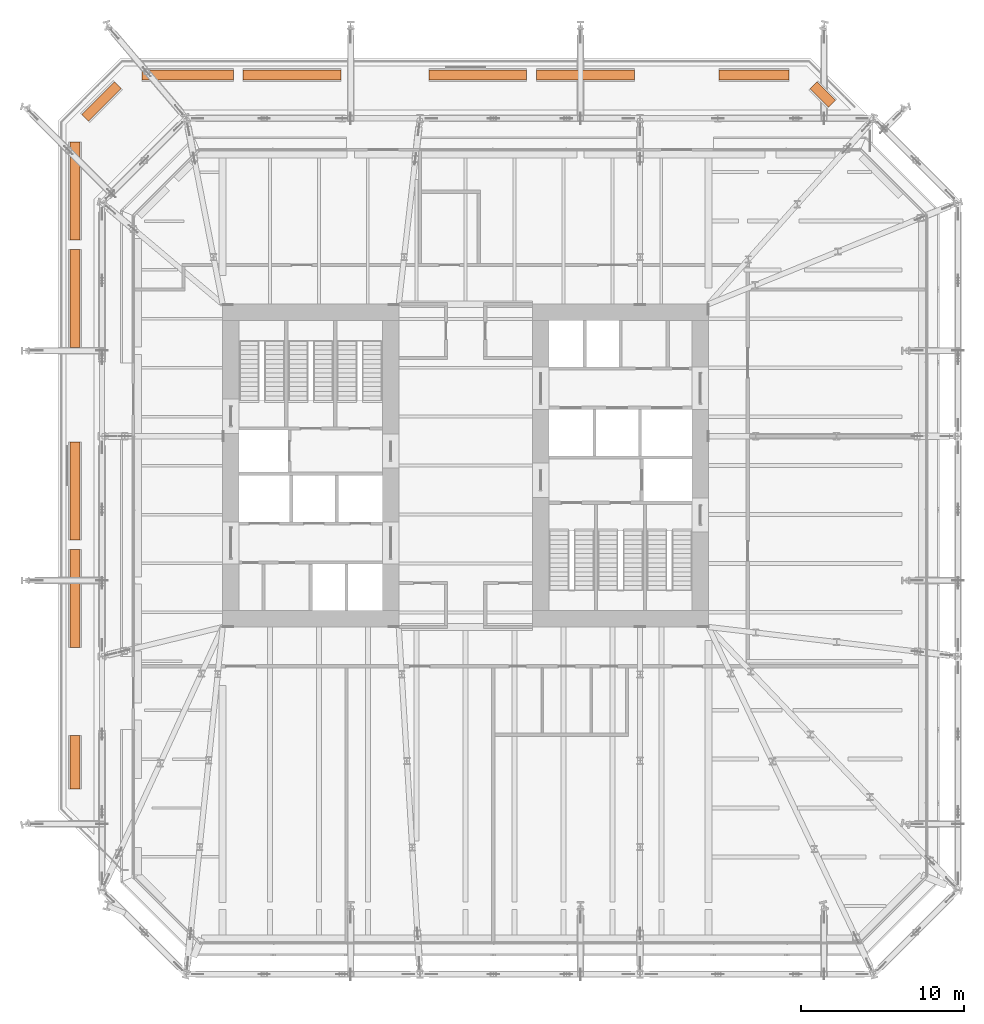
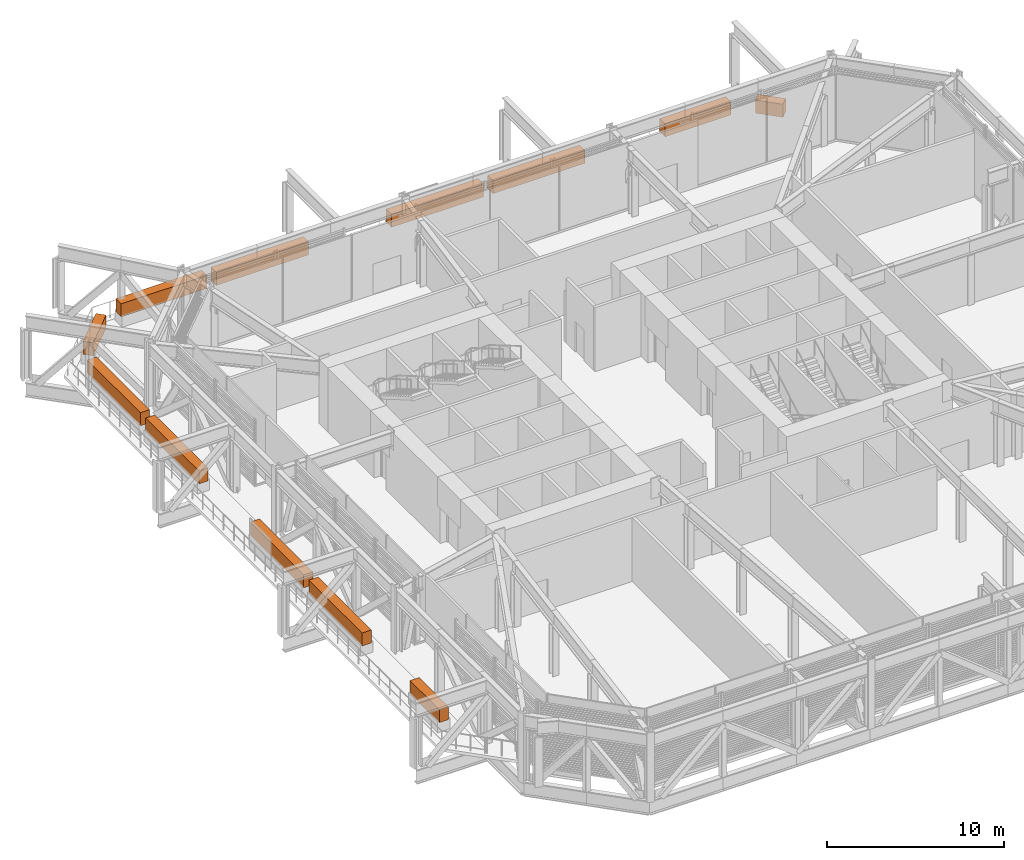
# One storey, part 29 of 29: 12 geographic elements.
"""IFC4 building model written with IfcOpenShell, lengths in metres."""

from ifc_helpers import new_model, si_unit, direction, frame, origin, origin_2d, place, context, subcontext, project, spatial, rectangle, extrude, material, type_object, element, save


model = new_model("IFC4")

# Units and contexts
model_context = context("Model", 3, precision=1e-05, world=origin(), true_north=direction((0.0, 1.0)))
body_context = subcontext(model_context, "Body", "Model", "MODEL_VIEW")
ifc_project = project(units=[si_unit("LENGTHUNIT", "METRE"), si_unit("AREAUNIT", "SQUARE_METRE"), si_unit("VOLUMEUNIT", "CUBIC_METRE"), si_unit("PLANEANGLEUNIT", "RADIAN"), si_unit("MASSUNIT", "GRAM", prefix="KILO")], contexts=[model_context])

# Site, building, storey
site_placement = place(None, origin())
site = spatial("IfcSite", under=ifc_project, at=site_placement, CompositionType="ELEMENT")
building_placement = place(site_placement, origin())
building = spatial("IfcBuilding", under=site, at=building_placement, Name="Millrace Tower", CompositionType="ELEMENT")
storey_placement = place(building_placement, frame((0.0, 0.0, 68.60009765625)))
storey = spatial("IfcBuildingStorey", under=building, at=storey_placement, Name="L15", CompositionType="ELEMENT", Elevation=68.60009765625)

# Geographic elements
ifc_material = material(Name="Planting shrub bed")
geographic_element_type = type_object("IfcGeographicElementType", Name="Shrub bed", PredefinedType="USERDEFINED", material=ifc_material)
geographic_element_1_placement = place(storey_placement, frame((21.904052734375, 22.760986328125, 0.699951171875), z_axis=(0.0, 0.0, 1.0), x_axis=(-0.707106781187, 0.707106781187, 0.0)))
element("IfcGeographicElement", 1, at=geographic_element_1_placement, inside=storey, type_object=geographic_element_type, Name="Shrub bed T-L14-1-1-0-0", ObjectType="SHRUB", PredefinedType="USERDEFINED", context=body_context, shape_type="SweptSolid", body=[
    extrude(rectangle(XDim=1.618408203125, YDim=0.60009765625, at=origin_2d()), origin(), (0.0, 0.0, 1.0), 0.89990234375),
])
geographic_element_2_placement = place(storey_placement, frame((17.696533203125, 23.949951171875, 0.699951171875), z_axis=(0.0, 0.0, 1.0), x_axis=(-1.0, 0.0, 0.0)))
element("IfcGeographicElement", 2, at=geographic_element_2_placement, inside=storey, type_object=geographic_element_type, Name="Shrub bed T-L14-1-1-1-0", ObjectType="SHRUB", PredefinedType="USERDEFINED", context=body_context, shape_type="SweptSolid", body=[
    extrude(rectangle(XDim=4.29296875, YDim=0.60009765625, at=origin_2d()), origin(), (0.0, 0.0, 1.0), 0.89990234375),
])
for number, where, z_axis, x_axis, name in (
    (3, (7.35009765625, 23.949951171875, 0.699951171875), (0.0, 0.0, 1.0), (-1.0, 0.0, 0.0), "Shrub bed T-L14-1-1-1-1"),
    (4, (0.75, 23.949951171875, 0.699951171875), (0.0, 0.0, 1.0), (-1.0, 0.0, 0.0), "Shrub bed T-L14-1-1-1-2"),
    (5, (-10.64990234375, 23.949951171875, 0.699951171875), (0.0, 0.0, 1.0), (-1.0, 0.0, 0.0), "Shrub bed T-L14-1-1-1-3"),
):
    element("IfcGeographicElement", number, at=place(storey_placement, frame(where, z_axis=z_axis, x_axis=x_axis)), inside=storey, type_object=geographic_element_type, Name=name, ObjectType="SHRUB", PredefinedType="USERDEFINED", context=body_context, shape_type="SweptSolid", body=[
        extrude(rectangle(XDim=6.0, YDim=0.60009765625, at=origin_2d()), origin(), (0.0, 0.0, 1.0), 0.89990234375),
    ])
geographic_element_3_placement = place(storey_placement, frame((-17.04638671875, 23.949951171875, 0.699951171875), z_axis=(0.0, 0.0, 1.0), x_axis=(-1.0, 0.0, 0.0)))
element("IfcGeographicElement", 6, at=geographic_element_3_placement, inside=storey, type_object=geographic_element_type, Name="Shrub bed T-L14-1-1-1-4", ObjectType="SHRUB", PredefinedType="USERDEFINED", context=body_context, shape_type="SweptSolid", body=[
    extrude(rectangle(XDim=5.5927734375, YDim=0.60009765625, at=origin_2d()), origin(), (0.0, 0.0, 1.0), 0.89990234375),
])
geographic_element_4_placement = place(storey_placement, frame((-22.33251953125, 22.33251953125, 0.699951171875), z_axis=(0.0, 0.0, 1.0), x_axis=(-0.707106781187, -0.707106781187, 0.0)))
element("IfcGeographicElement", 7, at=geographic_element_4_placement, inside=storey, type_object=geographic_element_type, Name="Shrub bed T-L14-1-1-2-0", ObjectType="SHRUB", PredefinedType="USERDEFINED", context=body_context, shape_type="SweptSolid", body=[
    extrude(rectangle(XDim=2.83056640625, YDim=0.60009765625, at=origin_2d()), origin(), (0.0, 0.0, 1.0), 0.89990234375),
])
for number, where, z_axis, x_axis, name in (
    (8, (-23.949951171875, 16.8427734375, 0.699951171875), (0.0, 0.0, 1.0), (0.0, -1.0, 0.0), "Shrub bed T-L14-1-1-3-0"),
    (9, (-23.949951171875, 10.242919921875, 0.699951171875), (0.0, 0.0, 1.0), (0.0, -1.0, 0.0), "Shrub bed T-L14-1-1-3-1"),
    (10, (-23.949951171875, -1.550048828125, 0.699951171875), (0.0, 0.0, 1.0), (0.0, -1.0, 0.0), "Shrub bed T-L14-1-1-3-2"),
    (11, (-23.949951171875, -8.14990234375, 0.699951171875), (0.0, 0.0, 1.0), (0.0, -1.0, 0.0), "Shrub bed T-L14-1-1-3-3"),
):
    element("IfcGeographicElement", number, at=place(storey_placement, frame(where, z_axis=z_axis, x_axis=x_axis)), inside=storey, type_object=geographic_element_type, Name=name, ObjectType="SHRUB", PredefinedType="USERDEFINED", context=body_context, shape_type="SweptSolid", body=[
        extrude(rectangle(XDim=6.0, YDim=0.60009765625, at=origin_2d()), origin(), (0.0, 0.0, 1.0), 0.89990234375),
    ])
geographic_element_5_placement = place(storey_placement, frame((-23.949951171875, -18.196533203125, 0.699951171875), z_axis=(0.0, 0.0, 1.0), x_axis=(0.0, -1.0, 0.0)))
element("IfcGeographicElement", 12, at=geographic_element_5_placement, inside=storey, type_object=geographic_element_type, Name="Shrub bed T-L14-1-1-3-4", ObjectType="SHRUB", PredefinedType="USERDEFINED", context=body_context, shape_type="SweptSolid", body=[
    extrude(rectangle(XDim=3.29296875, YDim=0.60009765625, at=origin_2d()), origin(), (0.0, 0.0, 1.0), 0.89990234375),
])

save(model, "model.ifc")
